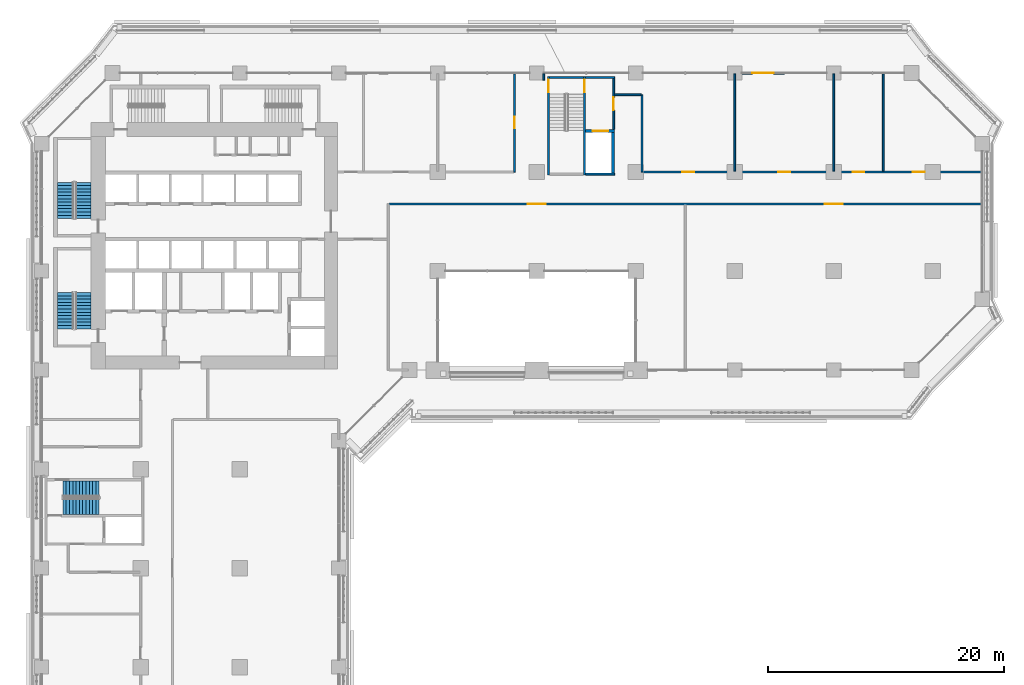
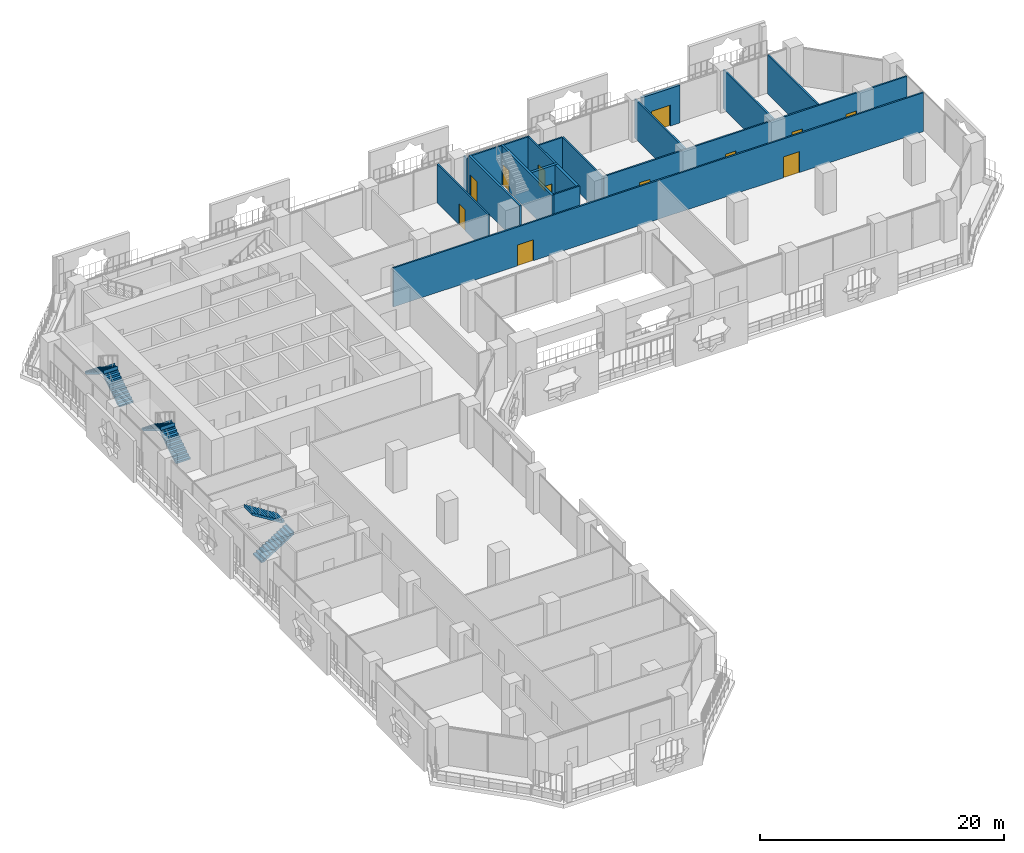
# One storey, part 16 of 27: 18 walls, 12 doors, 6 stair flights, 12 openings, 3 elements without a shape of their own.
"""IFC4 building model written with IfcOpenShell, lengths in metres."""

import ifcopenshell
import ifcopenshell.guid

model = None  # the IFC model being written
_history = None  # IfcOwnerHistory: only IFC2X3 demands one
_inside = {}  # id of a spatial element -> (the spatial element, [elements in it])
_under = {}  # id of a project, library or spatial element -> (it, [spatial elements below it])
_declared = {}  # id of a project -> (the project, [libraries it declares])
_typed = {}  # id of a type object -> (the type object, [elements of that type])
_made_of = {}  # id of a material, layer set ... -> (it, [elements and type objects made of it])


def new_model(schema):
    """Start an empty IFC model of exactly this schema.

    Asked for "IFC4X3", IfcOpenShell would pick the latest addendum, in which some entities
    have other attributes; the version numbers below select the first issue.
    IFC2X3 requires an IfcOwnerHistory on every rooted entity: one is made here for all.
    """
    global model, _history
    if schema == "IFC4X3":
        model = ifcopenshell.file(schema_version=(4, 3, 0, 0))
    else:
        model = ifcopenshell.file(schema=schema)
    _inside.clear()
    _under.clear()
    _declared.clear()
    _typed.clear()
    _made_of.clear()
    _history = None
    if model.schema == "IFC2X3":
        org = make("IfcOrganization", Name="unknown")
        user = make(
            "IfcPersonAndOrganization",
            ThePerson=make("IfcPerson", FamilyName="unknown"),
            TheOrganization=org,
        )
        app = make(
            "IfcApplication",
            ApplicationDeveloper=org,
            Version="unknown",
            ApplicationFullName="unknown",
            ApplicationIdentifier="unknown",
        )
        _history = make(
            "IfcOwnerHistory",
            OwningUser=user,
            OwningApplication=app,
            ChangeAction="ADDED",
            CreationDate=0,
        )
    return model


def make(cls, **values):
    """One entity of the class cls with the attributes given. An attribute that is None is left unset."""
    return model.create_entity(
        cls, **{name: value for name, value in values.items() if value is not None}
    )


def rooted(cls, **values):
    """An entity with a GlobalId (a new one), such as an element, a storey or a relation."""
    return make(cls, GlobalId=ifcopenshell.guid.new(), OwnerHistory=_history, **values)


def si_unit(unit_type, name, prefix=None):
    """IfcSIUnit, for example si_unit("LENGTHUNIT", "METRE", prefix="MILLI")."""
    return make("IfcSIUnit", UnitType=unit_type, Prefix=prefix, Name=name)


def assignment(units):
    """IfcUnitAssignment: the units of a project."""
    return None if units is None else make("IfcUnitAssignment", Units=units)


def point(xyz):
    """IfcCartesianPoint."""
    return None if xyz is None else make("IfcCartesianPoint", Coordinates=xyz)


def direction(xyz):
    """IfcDirection."""
    return None if xyz is None else make("IfcDirection", DirectionRatios=xyz)


def frame(location, z_axis=None, x_axis=None):
    """IfcAxis2Placement3D, a coordinate frame: its origin and axes. An axis left out is left unset."""
    return make(
        "IfcAxis2Placement3D",
        Location=point(location),
        Axis=direction(z_axis),
        RefDirection=direction(x_axis),
    )


def frame_2d(location, x_axis=None):
    """IfcAxis2Placement2D, a coordinate frame in the plane: its origin and x axis."""
    return make(
        "IfcAxis2Placement2D", Location=point(location), RefDirection=direction(x_axis)
    )


def origin():
    """The frame at (0, 0, 0) with its axes left unset."""
    return frame((0.0, 0.0, 0.0))


def place(relative_to, where):
    """IfcLocalPlacement: puts the frame where relative to a parent placement (None: the world)."""
    return make(
        "IfcLocalPlacement", PlacementRelTo=relative_to, RelativePlacement=where
    )


def context(
    kind, dimensions, precision=None, world=None, true_north=None, identifier=None
):
    """IfcGeometricRepresentationContext, for example the 3D "Model" context."""
    return make(
        "IfcGeometricRepresentationContext",
        ContextIdentifier=identifier,
        ContextType=kind,
        CoordinateSpaceDimension=dimensions,
        Precision=precision,
        WorldCoordinateSystem=world,
        TrueNorth=true_north,
    )


def subcontext(parent, identifier, kind, view, scale=None):
    """IfcGeometricRepresentationSubContext, for example "Body" below "Model"."""
    return make(
        "IfcGeometricRepresentationSubContext",
        ContextIdentifier=identifier,
        ContextType=kind,
        ParentContext=parent,
        TargetScale=scale,
        TargetView=view,
    )


def project(units=None, contexts=None):
    """IfcProject with its units and contexts."""
    return rooted(
        "IfcProject",
        Name="project",
        RepresentationContexts=contexts,
        UnitsInContext=assignment(units),
    )


def spatial(cls, under=None, at=None, **own):
    """A site, building, storey or space (cls), placed at a placement, below another one or the project."""
    s = rooted(cls, ObjectPlacement=at, **own)
    if under is not None:
        _under.setdefault(under.id(), (under, []))[1].append(s)
    return s


def polyline(points):
    """IfcPolyline through the points."""
    return make("IfcPolyline", Points=[point(p) for p in points])


def profile(cls, at=None, kind="AREA", **sizes):
    """A parametric profile (cls). Its sizes go by their IFC names, for example OverallWidth=200.0."""
    return make(cls, ProfileType=kind, Position=at, **sizes)


def rectangle(**sizes):
    """IfcRectangleProfileDef."""
    return profile("IfcRectangleProfileDef", **sizes)


def outline(outer, holes=None, kind="AREA"):
    """IfcArbitraryClosedProfileDef: a profile drawn as a closed curve; with holes, ...WithVoids."""
    if holes is None:
        return make("IfcArbitraryClosedProfileDef", ProfileType=kind, OuterCurve=outer)
    return make(
        "IfcArbitraryProfileDefWithVoids",
        ProfileType=kind,
        OuterCurve=outer,
        InnerCurves=holes,
    )


def extrude(swept, where, along, depth):
    """IfcExtrudedAreaSolid: the profile swept, set in the frame where, extruded along a direction by depth."""
    return make(
        "IfcExtrudedAreaSolid",
        SweptArea=swept,
        Position=where,
        ExtrudedDirection=direction(along),
        Depth=depth,
    )


def shape(context_of_items, identifier, shape_type, items):
    """IfcShapeRepresentation: the items that make up one representation, for example the "Body"."""
    return make(
        "IfcShapeRepresentation",
        ContextOfItems=context_of_items,
        RepresentationIdentifier=identifier,
        RepresentationType=shape_type,
        Items=items,
    )


def material(Name=None, Category=None):
    """IfcMaterial."""
    return make("IfcMaterial", Name=Name, Category=Category)


def layer(
    of_material, thickness, ventilated=None, Name=None, Category=None, Priority=None
):
    """IfcMaterialLayer: one layer of a wall or slab, of a material (None: an air gap)."""
    return make(
        "IfcMaterialLayer",
        Material=of_material,
        LayerThickness=thickness,
        IsVentilated=ventilated,
        Name=Name,
        Category=Category,
        Priority=Priority,
    )


def layer_set(layers, Name=None):
    """IfcMaterialLayerSet."""
    return make("IfcMaterialLayerSet", MaterialLayers=layers, LayerSetName=Name)


def made_of(thing, what):
    """Note that an element or type object is made of a material, layer set ...; save() writes the relation."""
    if what is not None:
        _made_of.setdefault(what.id(), (what, []))[1].append(thing)
    return thing


def type_object(cls, material=None, **own):
    """A type object (cls), such as IfcWallType, which elements share."""
    return made_of(rooted(cls, **own), material)


def element(
    cls,
    number,
    at=None,
    inside=None,
    cuts=None,
    type_object=None,
    material=None,
    context=None,
    identifier="Body",
    shape_type=None,
    held_by="IfcProductDefinitionShape",
    body=None,
    shapes=None,
    **own,
):
    """One element of the class cls, such as IfcWall. Its Tag is "e" and its number.

    at: its placement. inside: the storey or other place that contains it. cuts: it is an
    opening in that element (IfcRelVoidsElement). A single representation is given by context,
    identifier, shape_type and body (its items); several are given by shapes. held_by: the class
    of the entity that holds the representations. save() writes the other relations.
    """
    e = rooted(cls, Tag="e%d" % number, ObjectPlacement=at, **own)
    if body is not None:
        shapes = [shape(context, identifier, shape_type, body)]
    if shapes is not None:
        e.Representation = make(held_by, Representations=shapes)
    if inside is not None:
        _inside.setdefault(inside.id(), (inside, []))[1].append(e)
    if cuts is not None:
        rooted(
            "IfcRelVoidsElement", RelatingBuildingElement=cuts, RelatedOpeningElement=e
        )
    if type_object is not None:
        _typed.setdefault(type_object.id(), (type_object, []))[1].append(e)
    return made_of(e, material)


def fill(opening, filler):
    """IfcRelFillsElement: the door or window that sits in an opening."""
    return rooted(
        "IfcRelFillsElement",
        RelatingOpeningElement=opening,
        RelatedBuildingElement=filler,
    )


def aggregate(whole, parts):
    """IfcRelAggregates: a whole, such as a stair, and the parts it consists of."""
    return rooted("IfcRelAggregates", RelatingObject=whole, RelatedObjects=parts)


def save(model, path):
    """Write the relations noted so far, then the file.

    IfcRelAggregates (storeys below a building ...), IfcRelContainedInSpatialStructure (elements
    in a storey), IfcRelDefinesByType, IfcRelAssociatesMaterial and IfcRelDeclares: one each for
    every whole, place, type object, material and project.
    """
    for whole, parts in _under.values():
        aggregate(whole, parts)
    for where, things in _inside.values():
        rooted(
            "IfcRelContainedInSpatialStructure",
            RelatedElements=things,
            RelatingStructure=where,
        )
    for kind, things in _typed.values():
        rooted("IfcRelDefinesByType", RelatedObjects=things, RelatingType=kind)
    for what, things in _made_of.values():
        rooted("IfcRelAssociatesMaterial", RelatedObjects=things, RelatingMaterial=what)
    for by, libraries in _declared.values():
        rooted("IfcRelDeclares", RelatingContext=by, RelatedDefinitions=libraries)
    model.write(path)


model = new_model("IFC4")

# Units and contexts
model_context = context("Model", 3, precision=1e-05, world=origin(), true_north=direction((0.0, 1.0)))
body_context = subcontext(model_context, "Body", "Model", "MODEL_VIEW")
ifc_project = project(units=[si_unit("LENGTHUNIT", "METRE"), si_unit("AREAUNIT", "SQUARE_METRE"), si_unit("VOLUMEUNIT", "CUBIC_METRE"), si_unit("PLANEANGLEUNIT", "RADIAN"), si_unit("MASSUNIT", "GRAM", prefix="KILO")], contexts=[model_context])

# Site, building, storey
site_placement = place(None, origin())
site = spatial("IfcSite", under=ifc_project, at=site_placement, CompositionType="ELEMENT")
building_placement = place(site_placement, origin())
building = spatial("IfcBuilding", under=site, at=building_placement, Name="Kawkab Arch Medical Tower", CompositionType="ELEMENT")
storey_placement = place(building_placement, frame((0.0, 0.0, 43.39990234375)))
storey = spatial("IfcBuildingStorey", under=building, at=storey_placement, Name="L09", CompositionType="ELEMENT", Elevation=43.39990234375)

# Wall, opening, door
ifc_material_1 = material(Name="Gypsum board on steel studs", Category="steel")
ifc_layer_1 = layer(ifc_material_1, 0.14990234375)
ifc_layer_set_1 = layer_set([ifc_layer_1], Name="Gypsum board on steel studs")
wall_type_1 = type_object("IfcWallType", Name="Core room partition 150", PredefinedType="PARTITIONING", material=ifc_layer_set_1)
wall_1_placement = place(storey_placement, frame((48.52490234375, -4.77490234375, 0.0), z_axis=(0.0, 0.0, 1.0), x_axis=(0.0, 1.0, 0.0)))
wall_1 = element("IfcWall", 1, at=wall_1_placement, inside=storey, type_object=wall_type_1, Name="L09 core room partition", PredefinedType="PARTITIONING", context=body_context, shape_type="SweptSolid", body=[
    extrude(rectangle(XDim=4.324951171875, YDim=0.14990234375, at=frame_2d((2.16259765625, 0.0))), origin(), (0.0, 0.0, 1.0), 3.900146484375),
])
opening_1_placement = place(wall_1_placement, frame((1.625, 0.0, 0.0)))
opening_1 = element("IfcOpeningElement", 2, at=opening_1_placement, cuts=wall_1, Name="Opening FD", PredefinedType="OPENING", context=body_context, shape_type="SweptSolid", body=[
    extrude(rectangle(XDim=1.10009765625, YDim=2.10009765625, at=frame_2d((0.550048828125, 1.050048828125))), frame((0.0, 0.0849609375, 0.0), z_axis=(0.0, -1.0, 0.0), x_axis=(1.0, 0.0, 0.0)), (0.0, 0.0, 1.0), 0.169921875),
])
ifc_material_2 = material(Name="Hollow metal fire door leaf")
door_type_1 = type_object("IfcDoorType", Name="Firefighting lobby door 1100", OperationType="SINGLE_SWING_LEFT", PredefinedType="DOOR", material=ifc_material_2)
door_1_placement = place(opening_1_placement, origin())
door_1 = element("IfcDoor", 3, at=door_1_placement, inside=storey, type_object=door_type_1, Name="L09 Service lift lobby door SV1", OperationType="SINGLE_SWING_LEFT", OverallHeight=2.10009765625, OverallWidth=1.10009765625, PredefinedType="DOOR", context=body_context, shape_type="SweptSolid", body=[
    extrude(rectangle(XDim=1.10009765625, YDim=2.10009765625, at=frame_2d((0.550048828125, 1.050048828125))), frame((0.0, 0.02490234375, 0.0), z_axis=(0.0, -1.0, 0.0), x_axis=(1.0, 0.0, 0.0)), (0.0, 0.0, 1.0), 0.050048828125),
])
fill(opening_1, door_1)

ifc_material_3 = material(Name="Concrete C60/75", Category="concrete")
ifc_layer_2 = layer(ifc_material_3, 0.25)
ifc_layer_set_2 = layer_set([ifc_layer_2], Name="Concrete C60/75")
wall_type_2 = type_object("IfcWallType", Name="Core shear wall 250 C60/75", PredefinedType="SHEAR", material=ifc_layer_set_2)
wall_2_placement = place(storey_placement, frame((46.14990234375, -4.89990234375, 0.0), z_axis=(0.0, 0.0, 1.0), x_axis=(1.0, 0.0, 0.0)))
wall_2 = element("IfcWall", 4, at=wall_2_placement, inside=storey, type_object=wall_type_2, Name="L09 core shear wall", PredefinedType="SHEAR", context=body_context, shape_type="SweptSolid", body=[
    extrude(rectangle(XDim=2.4501953125, YDim=0.25, at=frame_2d((1.22509765625, 0.0))), origin(), (0.0, 0.0, 1.0), 3.900146484375),
])
opening_2_placement = place(wall_2_placement, frame((0.60009765625, 0.0, 0.0)))
opening_2 = element("IfcOpeningElement", 5, at=opening_2_placement, cuts=wall_2, Name="Opening LD2", PredefinedType="OPENING", context=body_context, shape_type="SweptSolid", body=[
    extrude(rectangle(XDim=1.300048828125, YDim=2.10009765625, at=frame_2d((0.64990234375, 1.050048828125))), frame((0.0, 0.135009765625, 0.0), z_axis=(0.0, -1.0, 0.0), x_axis=(1.0, 0.0, 0.0)), (0.0, 0.0, 1.0), 0.27001953125),
])
ifc_material_4 = material(Name="Stainless steel lift door leaf", Category="steel")
door_type_2 = type_object("IfcDoorType", Name="Lift landing door 1300", OperationType="DOUBLE_DOOR_SLIDING", PredefinedType="DOOR", material=ifc_material_4)
door_2_placement = place(opening_2_placement, origin())
door_2 = element("IfcDoor", 6, at=door_2_placement, inside=storey, type_object=door_type_2, Name="L09 Lift landing door SV1", OperationType="DOUBLE_DOOR_SLIDING", OverallHeight=2.10009765625, OverallWidth=1.300048828125, PredefinedType="DOOR", context=body_context, shape_type="SweptSolid", body=[
    extrude(rectangle(XDim=1.300048828125, YDim=2.10009765625, at=frame_2d((0.64990234375, 1.050048828125))), frame((0.0, 0.02490234375, 0.0), z_axis=(0.0, -1.0, 0.0), x_axis=(1.0, 0.0, 0.0)), (0.0, 0.0, 1.0), 0.050048828125),
])
fill(opening_2, door_2)

# Wall
wall_3_placement = place(storey_placement, frame((48.47509765625, -8.5, 0.0), z_axis=(0.0, 0.0, 1.0), x_axis=(0.0, 1.0, 0.0)))
element("IfcWall", 7, at=wall_3_placement, inside=storey, type_object=wall_type_2, Name="L09 core shear wall", PredefinedType="SHEAR", context=body_context, shape_type="SweptSolid", body=[
    extrude(rectangle(XDim=3.47509765625, YDim=0.25, at=frame_2d((1.737548828125, 0.0))), origin(), (0.0, 0.0, 1.0), 3.900146484375),
])

# Wall, opening, door
ifc_material_5 = material(Name="Bronze clad insulated wall panel")
ifc_layer_3 = layer(ifc_material_5, 0.25)
ifc_layer_set_3 = layer_set([ifc_layer_3], Name="Bronze clad insulated wall panel")
wall_type_3 = type_object("IfcWallType", Name="External wall bay 250", PredefinedType="SOLIDWALL", material=ifc_layer_set_3)
wall_4_placement = place(storey_placement, frame((63.0, 0.0, 0.0), z_axis=(0.0, 0.0, 1.0), x_axis=(-1.0, 0.0, 0.0)))
wall_4 = element("IfcWall", 8, at=wall_4_placement, inside=storey, type_object=wall_type_3, Name="External wall bay L09.R09.2.2", PredefinedType="SOLIDWALL", context=body_context, shape_type="SweptSolid", body=[
    extrude(rectangle(XDim=3.60009765625, YDim=0.25, at=frame_2d((1.800048828125, 0.0))), origin(), (0.0, 0.0, 1.0), 3.780029296875),
])
opening_3_placement = place(wall_4_placement, frame((0.89990234375, 0.0, 0.0)))
opening_3 = element("IfcOpeningElement", 9, at=opening_3_placement, cuts=wall_4, Name="Opening B09-701", PredefinedType="OPENING", context=body_context, shape_type="SweptSolid", body=[
    extrude(rectangle(XDim=1.800048828125, YDim=2.10009765625, at=frame_2d((0.89990234375, 1.050048828125))), frame((0.0, 0.135009765625, 0.0), z_axis=(0.0, -1.0, 0.0), x_axis=(1.0, 0.0, 0.0)), (0.0, 0.0, 1.0), 0.27001953125),
])
ifc_material_6 = material(Name="Bronze anodised aluminium door with tinted glass", Category="aluminium")
door_type_3 = type_object("IfcDoorType", Name="Double external door 1800 x 2100", OperationType="DOUBLE_DOOR_SINGLE_SWING", PredefinedType="DOOR", material=ifc_material_6)
door_3_placement = place(opening_3_placement, origin())
door_3 = element("IfcDoor", 10, at=door_3_placement, inside=storey, type_object=door_type_3, Name="External door L09.R09.2.2", OperationType="DOUBLE_DOOR_SINGLE_SWING", OverallHeight=2.10009765625, OverallWidth=1.800048828125, PredefinedType="DOOR", context=body_context, shape_type="SweptSolid", body=[
    extrude(rectangle(XDim=1.800048828125, YDim=2.10009765625, at=frame_2d((0.89990234375, 1.050048828125))), frame((0.0, 0.02490234375, 0.0), z_axis=(0.0, -1.0, 0.0), x_axis=(1.0, 0.0, 0.0)), (0.0, 0.0, 1.0), 0.050048828125),
])
fill(opening_3, door_3)

# Wall, openings, doors
ifc_material_7 = material(Name="Gypsum board partition on steel studs, mineral wool", Category="steel")
ifc_layer_4 = layer(ifc_material_7, 0.14990234375)
ifc_layer_set_4 = layer_set([ifc_layer_4], Name="Gypsum board partition on steel studs, mineral wool")
wall_type_4 = type_object("IfcWallType", Name="Partition 150", PredefinedType="PARTITIONING", material=ifc_layer_set_4)
wall_5_placement = place(storey_placement, frame((29.47509765625, -11.10009765625, 0.0), z_axis=(0.0, 0.0, 1.0), x_axis=(1.0, 0.0, 0.0)))
wall_5 = element("IfcWall", 11, at=wall_5_placement, inside=storey, type_object=wall_type_4, Name="Partition 150 w016", PredefinedType="PARTITIONING", context=body_context, shape_type="SweptSolid", body=[
    extrude(rectangle(XDim=50.244873046875, YDim=0.14990234375, at=frame_2d((25.12255859375, 0.0))), origin(), (0.0, 0.0, 1.0), 3.900146484375),
])
opening_4_placement = place(wall_5_placement, frame((11.77490234375, 0.0, 0.0)))
opening_4 = element("IfcOpeningElement", 12, at=opening_4_placement, cuts=wall_5, Name="Opening B09-002", PredefinedType="OPENING", context=body_context, shape_type="SweptSolid", body=[
    extrude(rectangle(XDim=1.5, YDim=2.10009765625, at=frame_2d((0.75, 1.050048828125))), frame((0.0, 0.0849609375, 0.0), z_axis=(0.0, -1.0, 0.0), x_axis=(1.0, 0.0, 0.0)), (0.0, 0.0, 1.0), 0.169921875),
])
opening_5_placement = place(wall_5_placement, frame((36.97509765625, 0.0, 0.0)))
opening_5 = element("IfcOpeningElement", 13, at=opening_5_placement, cuts=wall_5, Name="Opening B09-003", PredefinedType="OPENING", context=body_context, shape_type="SweptSolid", body=[
    extrude(rectangle(XDim=1.5, YDim=2.10009765625, at=frame_2d((0.75, 1.050048828125))), frame((0.0, 0.0849609375, 0.0), z_axis=(0.0, -1.0, 0.0), x_axis=(1.0, 0.0, 0.0)), (0.0, 0.0, 1.0), 0.169921875),
])
ifc_material_8 = material(Name="Hollow metal door leaf")
door_type_4 = type_object("IfcDoorType", Name="Double door 1500x2100 FD30S", OperationType="NOTDEFINED", PredefinedType="DOOR", material=ifc_material_8)
door_4_placement = place(opening_4_placement, origin())
door_4 = element("IfcDoor", 14, at=door_4_placement, inside=storey, type_object=door_type_4, Name="Door B09-002", OperationType="DOUBLE_DOOR_SINGLE_SWING", OverallHeight=2.10009765625, OverallWidth=1.5, PredefinedType="DOOR", context=body_context, shape_type="SweptSolid", body=[
    extrude(rectangle(XDim=1.5, YDim=2.10009765625, at=frame_2d((0.75, 1.050048828125))), frame((0.0, 0.02490234375, 0.0), z_axis=(0.0, -1.0, 0.0), x_axis=(1.0, 0.0, 0.0)), (0.0, 0.0, 1.0), 0.050048828125),
])
fill(opening_4, door_4)
door_5_placement = place(opening_5_placement, origin())
door_5 = element("IfcDoor", 15, at=door_5_placement, inside=storey, type_object=door_type_4, Name="Door B09-003", OperationType="DOUBLE_DOOR_SINGLE_SWING", OverallHeight=2.10009765625, OverallWidth=1.5, PredefinedType="DOOR", context=body_context, shape_type="SweptSolid", body=[
    extrude(rectangle(XDim=1.5, YDim=2.10009765625, at=frame_2d((0.75, 1.050048828125))), frame((0.0, 0.02490234375, 0.0), z_axis=(0.0, -1.0, 0.0), x_axis=(1.0, 0.0, 0.0)), (0.0, 0.0, 1.0), 0.050048828125),
])
fill(opening_5, door_5)

wall_6_placement = place(storey_placement, frame((51.0, -8.39990234375, 0.0), z_axis=(0.0, 0.0, 1.0), x_axis=(1.0, 0.0, 0.0)))
wall_6 = element("IfcWall", 16, at=wall_6_placement, inside=storey, type_object=wall_type_4, Name="Partition 150 w018", PredefinedType="PARTITIONING", context=body_context, shape_type="SweptSolid", body=[
    extrude(rectangle(XDim=28.719970703125, YDim=0.14990234375, at=frame_2d((14.35986328125, 0.0))), origin(), (0.0, 0.0, 1.0), 3.900146484375),
])
opening_6_placement = place(wall_6_placement, frame((3.362060546875, 0.0, 0.0)))
opening_6 = element("IfcOpeningElement", 17, at=opening_6_placement, cuts=wall_6, Name="Opening B09-008", PredefinedType="OPENING", context=body_context, shape_type="SweptSolid", body=[
    extrude(rectangle(XDim=1.0, YDim=2.10009765625, at=frame_2d((0.5, 1.050048828125))), frame((0.0, 0.0849609375, 0.0), z_axis=(0.0, -1.0, 0.0), x_axis=(1.0, 0.0, 0.0)), (0.0, 0.0, 1.0), 0.169921875),
])
opening_7_placement = place(wall_6_placement, frame((11.5, 0.0, 0.0)))
opening_7 = element("IfcOpeningElement", 18, at=opening_7_placement, cuts=wall_6, Name="Opening B09-009", PredefinedType="OPENING", context=body_context, shape_type="SweptSolid", body=[
    extrude(rectangle(XDim=1.0, YDim=2.10009765625, at=frame_2d((0.5, 1.050048828125))), frame((0.0, 0.0849609375, 0.0), z_axis=(0.0, -1.0, 0.0), x_axis=(1.0, 0.0, 0.0)), (0.0, 0.0, 1.0), 0.169921875),
])
opening_8_placement = place(wall_6_placement, frame((17.800048828125, 0.0, 0.0)))
opening_8 = element("IfcOpeningElement", 19, at=opening_8_placement, cuts=wall_6, Name="Opening B09-010", PredefinedType="OPENING", context=body_context, shape_type="SweptSolid", body=[
    extrude(rectangle(XDim=1.0, YDim=2.10009765625, at=frame_2d((0.5, 1.050048828125))), frame((0.0, 0.0849609375, 0.0), z_axis=(0.0, -1.0, 0.0), x_axis=(1.0, 0.0, 0.0)), (0.0, 0.0, 1.0), 0.169921875),
])
opening_9_placement = place(wall_6_placement, frame((22.89990234375, 0.0, 0.0)))
opening_9 = element("IfcOpeningElement", 20, at=opening_9_placement, cuts=wall_6, Name="Opening B09-011", PredefinedType="OPENING", context=body_context, shape_type="SweptSolid", body=[
    extrude(rectangle(XDim=1.0, YDim=2.10009765625, at=frame_2d((0.5, 1.050048828125))), frame((0.0, 0.0849609375, 0.0), z_axis=(0.0, -1.0, 0.0), x_axis=(1.0, 0.0, 0.0)), (0.0, 0.0, 1.0), 0.169921875),
])
ifc_material_9 = material(Name="Hollow metal door leaf")
door_type_5 = type_object("IfcDoorType", Name="Single door 1000x2100 FD30S", OperationType="NOTDEFINED", PredefinedType="DOOR", material=ifc_material_9)
door_6_placement = place(opening_6_placement, origin())
door_6 = element("IfcDoor", 21, at=door_6_placement, inside=storey, type_object=door_type_5, Name="Door B09-008", OperationType="SINGLE_SWING_LEFT", OverallHeight=2.10009765625, OverallWidth=1.0, PredefinedType="DOOR", context=body_context, shape_type="SweptSolid", body=[
    extrude(rectangle(XDim=1.0, YDim=2.10009765625, at=frame_2d((0.5, 1.050048828125))), frame((0.0, 0.02490234375, 0.0), z_axis=(0.0, -1.0, 0.0), x_axis=(1.0, 0.0, 0.0)), (0.0, 0.0, 1.0), 0.050048828125),
])
fill(opening_6, door_6)
door_7_placement = place(opening_7_placement, origin())
door_7 = element("IfcDoor", 22, at=door_7_placement, inside=storey, type_object=door_type_5, Name="Door B09-009", OperationType="SINGLE_SWING_LEFT", OverallHeight=2.10009765625, OverallWidth=1.0, PredefinedType="DOOR", context=body_context, shape_type="SweptSolid", body=[
    extrude(rectangle(XDim=1.0, YDim=2.10009765625, at=frame_2d((0.5, 1.050048828125))), frame((0.0, 0.02490234375, 0.0), z_axis=(0.0, -1.0, 0.0), x_axis=(1.0, 0.0, 0.0)), (0.0, 0.0, 1.0), 0.050048828125),
])
fill(opening_7, door_7)
door_8_placement = place(opening_8_placement, origin())
door_8 = element("IfcDoor", 23, at=door_8_placement, inside=storey, type_object=door_type_5, Name="Door B09-010", OperationType="SINGLE_SWING_RIGHT", OverallHeight=2.10009765625, OverallWidth=1.0, PredefinedType="DOOR", context=body_context, shape_type="SweptSolid", body=[
    extrude(rectangle(XDim=1.0, YDim=2.10009765625, at=frame_2d((0.5, 1.050048828125))), frame((0.0, 0.02490234375, 0.0), z_axis=(0.0, -1.0, 0.0), x_axis=(1.0, 0.0, 0.0)), (0.0, 0.0, 1.0), 0.050048828125),
])
fill(opening_8, door_8)
door_9_placement = place(opening_9_placement, origin())
door_9 = element("IfcDoor", 24, at=door_9_placement, inside=storey, type_object=door_type_5, Name="Door B09-011", OperationType="SINGLE_SWING_RIGHT", OverallHeight=2.10009765625, OverallWidth=1.0, PredefinedType="DOOR", context=body_context, shape_type="SweptSolid", body=[
    extrude(rectangle(XDim=1.0, YDim=2.10009765625, at=frame_2d((0.5, 1.050048828125))), frame((0.0, 0.02490234375, 0.0), z_axis=(0.0, -1.0, 0.0), x_axis=(1.0, 0.0, 0.0)), (0.0, 0.0, 1.0), 0.050048828125),
])
fill(opening_9, door_9)

# Wall
wall_7_placement = place(storey_placement, frame((48.60009765625, -1.85009765625, 0.0), z_axis=(0.0, 0.0, 1.0), x_axis=(1.0, 0.0, 0.0)))
element("IfcWall", 25, at=wall_7_placement, inside=storey, type_object=wall_type_4, Name="Partition 150 w019", PredefinedType="PARTITIONING", context=body_context, shape_type="SweptSolid", body=[
    extrude(rectangle(XDim=2.247802734375, YDim=0.14990234375, at=frame_2d((1.1240234375, 0.0))), origin(), (0.0, 0.0, 1.0), 3.900146484375),
])

# Wall, opening, door
wall_8_placement = place(storey_placement, frame((40.10693359375, -8.39990234375, 0.0), z_axis=(0.0, 0.0, 1.0), x_axis=(0.0, 1.0, 0.0)))
wall_8 = element("IfcWall", 26, at=wall_8_placement, inside=storey, type_object=wall_type_4, Name="Partition 150 w030", PredefinedType="PARTITIONING", context=body_context, shape_type="SweptSolid", body=[
    extrude(rectangle(XDim=8.31982421875, YDim=0.14990234375, at=frame_2d((4.159912109375, 0.0))), origin(), (0.0, 0.0, 1.0), 3.900146484375),
])
opening_10_placement = place(wall_8_placement, frame((3.699951171875, 0.0, 0.0)))
opening_10 = element("IfcOpeningElement", 27, at=opening_10_placement, cuts=wall_8, Name="Opening B09-007", PredefinedType="OPENING", context=body_context, shape_type="SweptSolid", body=[
    extrude(rectangle(XDim=1.0, YDim=2.10009765625, at=frame_2d((0.5, 1.050048828125))), frame((0.0, 0.0849609375, 0.0), z_axis=(0.0, -1.0, 0.0), x_axis=(1.0, 0.0, 0.0)), (0.0, 0.0, 1.0), 0.169921875),
])
door_10_placement = place(opening_10_placement, origin())
door_10 = element("IfcDoor", 28, at=door_10_placement, inside=storey, type_object=door_type_5, Name="Door B09-007", OperationType="SINGLE_SWING_RIGHT", OverallHeight=2.10009765625, OverallWidth=1.0, PredefinedType="DOOR", context=body_context, shape_type="SweptSolid", body=[
    extrude(rectangle(XDim=1.0, YDim=2.10009765625, at=frame_2d((0.5, 1.050048828125))), frame((0.0, 0.02490234375, 0.0), z_axis=(0.0, -1.0, 0.0), x_axis=(1.0, 0.0, 0.0)), (0.0, 0.0, 1.0), 0.050048828125),
])
fill(opening_10, door_10)

# Walls
wall_9_placement = place(storey_placement, frame((42.60009765625, -0.59912109375, 0.0), z_axis=(0.0, 0.0, 1.0), x_axis=(0.0, 1.0, 0.0)))
element("IfcWall", 29, at=wall_9_placement, inside=storey, type_object=wall_type_4, Name="Partition 150 w031", PredefinedType="PARTITIONING", context=body_context, shape_type="SweptSolid", body=[
    extrude(rectangle(XDim=0.51904296875, YDim=0.14990234375, at=frame_2d((0.259521484375, 0.0))), origin(), (0.0, 0.0, 1.0), 3.900146484375),
])
wall_10_placement = place(storey_placement, frame((50.925048828125, -8.39990234375, 0.0), z_axis=(0.0, 0.0, 1.0), x_axis=(0.0, 1.0, 0.0)))
element("IfcWall", 30, at=wall_10_placement, inside=storey, type_object=wall_type_4, Name="Partition 150 w032", PredefinedType="PARTITIONING", context=body_context, shape_type="SweptSolid", body=[
    extrude(rectangle(XDim=6.5478515625, YDim=0.14990234375, at=frame_2d((3.27392578125, 0.0))), origin(), (0.0, 0.0, 1.0), 3.900146484375),
])
for number, where, z_axis, x_axis, name in (
    (31, (58.800048828125, -8.324951171875, 0.0), (0.0, 0.0, 1.0), (0.0, 1.0, 0.0), "Partition 150 w034"),
    (32, (67.199951171875, -8.324951171875, 0.0), (0.0, 0.0, 1.0), (0.0, 1.0, 0.0), "Partition 150 w035"),
    (33, (71.39990234375, -8.324951171875, 0.0), (0.0, 0.0, 1.0), (0.0, 1.0, 0.0), "Partition 150 w036"),
):
    element("IfcWall", number, at=place(storey_placement, frame(where, z_axis=z_axis, x_axis=x_axis)), inside=storey, type_object=wall_type_4, Name=name, PredefinedType="PARTITIONING", context=body_context, shape_type="SweptSolid", body=[
        extrude(rectangle(XDim=8.244873046875, YDim=0.14990234375, at=frame_2d((4.12255859375, 0.0))), origin(), (0.0, 0.0, 1.0), 3.900146484375),
    ])
ifc_material_10 = material(Name="Concrete C50/60", Category="concrete")
ifc_layer_5 = layer(ifc_material_10, 0.14990234375)
ifc_layer_set_5 = layer_set([ifc_layer_5], Name="Concrete C50/60")
wall_type_5 = type_object("IfcWallType", Name="Stair enclosure wall 150 C50/60", PredefinedType="SHEAR", material=ifc_layer_set_5)
wall_11_placement = place(storey_placement, frame((43.10009765625, -0.375, 0.0), z_axis=(0.0, 0.0, 1.0), x_axis=(1.0, 0.0, 0.0)))
element("IfcWall", 34, at=wall_11_placement, inside=storey, type_object=wall_type_5, Name="L09 stair enclosure wall", PredefinedType="SHEAR", context=body_context, shape_type="SweptSolid", body=[
    extrude(rectangle(XDim=2.849853515625, YDim=0.14990234375, at=frame_2d((1.4248046875, 0.0))), origin(), (0.0, 0.0, 1.0), 3.900146484375),
])
for number, where, z_axis, x_axis, name in (
    (35, (46.14990234375, -0.375, 0.0), (0.0, 0.0, 1.0), (1.0, 0.0, 0.0), "L09 stair enclosure wall"),
    (36, (46.14990234375, -8.574951171875, 0.0), (0.0, 0.0, 1.0), (1.0, 0.0, 0.0), "L09 stair enclosure wall"),
):
    element("IfcWall", number, at=place(storey_placement, frame(where, z_axis=z_axis, x_axis=x_axis)), inside=storey, type_object=wall_type_5, Name=name, PredefinedType="SHEAR", context=body_context, shape_type="SweptSolid", body=[
        extrude(rectangle(XDim=2.4501953125, YDim=0.14990234375, at=frame_2d((1.22509765625, 0.0))), origin(), (0.0, 0.0, 1.0), 3.900146484375),
    ])

# Wall, opening, door
ifc_material_11 = material(Name="Concrete C50/60", Category="concrete")
ifc_layer_6 = layer(ifc_material_11, 0.199951171875)
ifc_layer_set_6 = layer_set([ifc_layer_6], Name="Concrete C50/60")
wall_type_6 = type_object("IfcWallType", Name="Stair enclosure wall 200 C50/60", PredefinedType="SHEAR", material=ifc_layer_set_6)
wall_12_placement = place(storey_placement, frame((43.0, -8.64990234375, 0.0), z_axis=(0.0, 0.0, 1.0), x_axis=(0.0, 1.0, 0.0)))
wall_12 = element("IfcWall", 37, at=wall_12_placement, inside=storey, type_object=wall_type_6, Name="L09 stair enclosure wall", PredefinedType="SHEAR", context=body_context, shape_type="SweptSolid", body=[
    extrude(rectangle(XDim=8.349853515625, YDim=0.199951171875, at=frame_2d((4.1748046875, 0.0))), origin(), (0.0, 0.0, 1.0), 3.900146484375),
])
opening_11_placement = place(wall_12_placement, frame((7.0, 0.0, 0.0)))
opening_11 = element("IfcOpeningElement", 38, at=opening_11_placement, cuts=wall_12, Name="Opening SD", PredefinedType="OPENING", context=body_context, shape_type="SweptSolid", body=[
    extrude(rectangle(XDim=1.10009765625, YDim=2.10009765625, at=frame_2d((0.550048828125, 1.050048828125))), frame((0.0, 0.10986328125, 0.0), z_axis=(0.0, -1.0, 0.0), x_axis=(1.0, 0.0, 0.0)), (0.0, 0.0, 1.0), 0.219970703125),
])
ifc_material_12 = material(Name="Hollow metal fire door leaf")
door_type_6 = type_object("IfcDoorType", Name="Exit stair door 1100", OperationType="SINGLE_SWING_LEFT", PredefinedType="DOOR", material=ifc_material_12)
door_11_placement = place(opening_11_placement, frame((1.10009765625, 0.0, 0.0), z_axis=(0.0, 0.0, 1.0), x_axis=(-1.0, 0.0, 0.0)))
door_11 = element("IfcDoor", 39, at=door_11_placement, inside=storey, type_object=door_type_6, Name="L09 Exit stair ST5 door", OperationType="SINGLE_SWING_LEFT", OverallHeight=2.10009765625, OverallWidth=1.10009765625, PredefinedType="DOOR", context=body_context, shape_type="SweptSolid", body=[
    extrude(rectangle(XDim=1.10009765625, YDim=2.10009765625, at=frame_2d((0.550048828125, 1.050048828125))), frame((0.0, 0.02490234375, 0.0), z_axis=(0.0, -1.0, 0.0), x_axis=(1.0, 0.0, 0.0)), (0.0, 0.0, 1.0), 0.050048828125),
])
fill(opening_11, door_11)

wall_13_placement = place(storey_placement, frame((46.050048828125, -8.64990234375, 0.0), z_axis=(0.0, 0.0, 1.0), x_axis=(0.0, 1.0, 0.0)))
wall_13 = element("IfcWall", 40, at=wall_13_placement, inside=storey, type_object=wall_type_6, Name="L09 stair enclosure wall", PredefinedType="SHEAR", context=body_context, shape_type="SweptSolid", body=[
    extrude(rectangle(XDim=8.349853515625, YDim=0.199951171875, at=frame_2d((4.1748046875, 0.0))), origin(), (0.0, 0.0, 1.0), 3.900146484375),
])
opening_12_placement = place(wall_13_placement, frame((7.0, 0.0, 0.0)))
opening_12 = element("IfcOpeningElement", 41, at=opening_12_placement, cuts=wall_13, Name="Opening SD", PredefinedType="OPENING", context=body_context, shape_type="SweptSolid", body=[
    extrude(rectangle(XDim=1.10009765625, YDim=2.10009765625, at=frame_2d((0.550048828125, 1.050048828125))), frame((0.0, 0.10986328125, 0.0), z_axis=(0.0, -1.0, 0.0), x_axis=(1.0, 0.0, 0.0)), (0.0, 0.0, 1.0), 0.219970703125),
])
door_12_placement = place(opening_12_placement, origin())
door_12 = element("IfcDoor", 42, at=door_12_placement, inside=storey, type_object=door_type_6, Name="L09 Exit stair ST5 lobby door", OperationType="SINGLE_SWING_LEFT", OverallHeight=2.10009765625, OverallWidth=1.10009765625, PredefinedType="DOOR", context=body_context, shape_type="SweptSolid", body=[
    extrude(rectangle(XDim=1.10009765625, YDim=2.10009765625, at=frame_2d((0.550048828125, 1.050048828125))), frame((0.0, 0.02490234375, 0.0), z_axis=(0.0, -1.0, 0.0), x_axis=(1.0, 0.0, 0.0)), (0.0, 0.0, 1.0), 0.050048828125),
])
fill(opening_12, door_12)

# Stair, stair flights
ifc_material_13 = material(Name="Concrete C40/50", Category="concrete")
stair_type = type_object("IfcStairType", Name="Exit stair 1350", PredefinedType="HALF_TURN_STAIR", material=ifc_material_13)
placement = place(storey_placement, origin())
stair_1 = element("IfcStair", 43, at=placement, inside=storey, type_object=stair_type, Name="L09 Exit stair ST1", PredefinedType="HALF_TURN_STAIR")
ifc_material_14 = material(Name="Concrete C40/50", Category="concrete")
stair_flight_type = type_object("IfcStairFlightType", Name="Exit stair flight 1350", PredefinedType="STRAIGHT", material=ifc_material_14)
stair_flight_1_placement = place(storey_placement, frame((3.52490234375, -12.35009765625, 0.0), z_axis=(0.0, 0.0, 1.0), x_axis=(0.0, 1.0, 0.0)))
stair_flight_1 = element("IfcStairFlight", 44, at=stair_flight_1_placement, type_object=stair_flight_type, Name="ST1 flight 1", NumberOfRisers=12, NumberOfTreads=11, PredefinedType="STRAIGHT", RiserHeight=0.175, TreadLength=0.28, context=body_context, shape_type="SweptSolid", body=[
    extrude(outline(polyline([(-0.0029296875, 0.0), (-0.0029296875, 0.175048828125), (0.0, 0.175048828125), (0.280029296875, 0.175048828125), (0.280029296875, 0.35009765625), (0.56005859375, 0.35009765625), (0.56005859375, 0.52490234375), (0.840087890625, 0.52490234375), (0.840087890625, 0.699951171875), (1.1201171875, 0.699951171875), (1.1201171875, 0.875), (1.39990234375, 0.875), (1.39990234375, 1.050048828125), (1.679931640625, 1.050048828125), (1.679931640625, 1.22509765625), (1.9599609375, 1.22509765625), (1.9599609375, 1.39990234375), (2.239990234375, 1.39990234375), (2.239990234375, 1.574951171875), (2.52001953125, 1.574951171875), (2.52001953125, 1.75), (2.800048828125, 1.75), (2.800048828125, 1.925048828125), (3.080078125, 1.925048828125), (3.080078125, 2.10009765625), (3.0830078125, 2.10009765625), (3.0830078125, 1.748291015625), (3.080078125, 1.748291015625), (0.28271484375, 0.0), (-0.0029296875, 0.0)])), frame((0.0, 0.675048828125, 0.0), z_axis=(0.0, -1.0, 0.0), x_axis=(1.0, 0.0, 0.0)), (0.0, 0.0, 1.0), 1.35009765625),
])
stair_flight_2_placement = place(storey_placement, frame((2.02490234375, -9.27001953125, 2.10009765625), z_axis=(0.0, 0.0, 1.0), x_axis=(0.0, -1.0, 0.0)))
stair_flight_2 = element("IfcStairFlight", 45, at=stair_flight_2_placement, type_object=stair_flight_type, Name="ST1 flight 2", NumberOfRisers=12, NumberOfTreads=11, PredefinedType="STRAIGHT", RiserHeight=0.175, TreadLength=0.28, context=body_context, shape_type="SweptSolid", body=[
    extrude(outline(polyline([(-0.0029296875, 0.0), (-0.0029296875, 0.175048828125), (0.0, 0.175048828125), (0.280029296875, 0.175048828125), (0.280029296875, 0.35009765625), (0.56005859375, 0.35009765625), (0.56005859375, 0.52490234375), (0.840087890625, 0.52490234375), (0.840087890625, 0.699951171875), (1.1201171875, 0.699951171875), (1.1201171875, 0.875), (1.39990234375, 0.875), (1.39990234375, 1.050048828125), (1.679931640625, 1.050048828125), (1.679931640625, 1.22509765625), (1.9599609375, 1.22509765625), (1.9599609375, 1.39990234375), (2.239990234375, 1.39990234375), (2.239990234375, 1.574951171875), (2.52001953125, 1.574951171875), (2.52001953125, 1.75), (2.800048828125, 1.75), (2.800048828125, 1.925048828125), (3.080078125, 1.925048828125), (3.080078125, 2.10009765625), (3.0830078125, 2.10009765625), (3.0830078125, 1.748291015625), (3.080078125, 1.748291015625), (0.28271484375, 0.0), (-0.0029296875, 0.0)])), frame((0.0, 0.675048828125, 0.0), z_axis=(0.0, -1.0, 0.0), x_axis=(1.0, 0.0, 0.0)), (0.0, 0.0, 1.0), 1.35009765625),
])
aggregate(stair_1, [stair_flight_1, stair_flight_2])

stair_2 = element("IfcStair", 46, at=placement, inside=storey, type_object=stair_type, Name="L09 Exit stair ST2", PredefinedType="HALF_TURN_STAIR")
stair_flight_3_placement = place(storey_placement, frame((3.52490234375, -21.699951171875, 0.0), z_axis=(0.0, 0.0, 1.0), x_axis=(0.0, 1.0, 0.0)))
stair_flight_3 = element("IfcStairFlight", 47, at=stair_flight_3_placement, type_object=stair_flight_type, Name="ST2 flight 1", NumberOfRisers=12, NumberOfTreads=11, PredefinedType="STRAIGHT", RiserHeight=0.175, TreadLength=0.28, context=body_context, shape_type="SweptSolid", body=[
    extrude(outline(polyline([(-0.0029296875, 0.0), (-0.0029296875, 0.175048828125), (0.0, 0.175048828125), (0.280029296875, 0.175048828125), (0.280029296875, 0.35009765625), (0.56005859375, 0.35009765625), (0.56005859375, 0.52490234375), (0.840087890625, 0.52490234375), (0.840087890625, 0.699951171875), (1.1201171875, 0.699951171875), (1.1201171875, 0.875), (1.39990234375, 0.875), (1.39990234375, 1.050048828125), (1.679931640625, 1.050048828125), (1.679931640625, 1.22509765625), (1.9599609375, 1.22509765625), (1.9599609375, 1.39990234375), (2.239990234375, 1.39990234375), (2.239990234375, 1.574951171875), (2.52001953125, 1.574951171875), (2.52001953125, 1.75), (2.800048828125, 1.75), (2.800048828125, 1.925048828125), (3.080078125, 1.925048828125), (3.080078125, 2.10009765625), (3.0830078125, 2.10009765625), (3.0830078125, 1.748291015625), (3.080078125, 1.748291015625), (0.28271484375, 0.0), (-0.0029296875, 0.0)])), frame((0.0, 0.675048828125, 0.0), z_axis=(0.0, -1.0, 0.0), x_axis=(1.0, 0.0, 0.0)), (0.0, 0.0, 1.0), 1.35009765625),
])
stair_flight_4_placement = place(storey_placement, frame((2.02490234375, -18.6201171875, 2.10009765625), z_axis=(0.0, 0.0, 1.0), x_axis=(0.0, -1.0, 0.0)))
stair_flight_4 = element("IfcStairFlight", 48, at=stair_flight_4_placement, type_object=stair_flight_type, Name="ST2 flight 2", NumberOfRisers=12, NumberOfTreads=11, PredefinedType="STRAIGHT", RiserHeight=0.175, TreadLength=0.28, context=body_context, shape_type="SweptSolid", body=[
    extrude(outline(polyline([(-0.0029296875, 0.0), (-0.0029296875, 0.175048828125), (0.0, 0.175048828125), (0.280029296875, 0.175048828125), (0.280029296875, 0.35009765625), (0.56005859375, 0.35009765625), (0.56005859375, 0.52490234375), (0.840087890625, 0.52490234375), (0.840087890625, 0.699951171875), (1.1201171875, 0.699951171875), (1.1201171875, 0.875), (1.39990234375, 0.875), (1.39990234375, 1.050048828125), (1.679931640625, 1.050048828125), (1.679931640625, 1.22509765625), (1.9599609375, 1.22509765625), (1.9599609375, 1.39990234375), (2.239990234375, 1.39990234375), (2.239990234375, 1.574951171875), (2.52001953125, 1.574951171875), (2.52001953125, 1.75), (2.800048828125, 1.75), (2.800048828125, 1.925048828125), (3.080078125, 1.925048828125), (3.080078125, 2.10009765625), (3.0830078125, 2.10009765625), (3.0830078125, 1.748291015625), (3.080078125, 1.748291015625), (0.28271484375, 0.0), (-0.0029296875, 0.0)])), frame((0.0, 0.675048828125, 0.0), z_axis=(0.0, -1.0, 0.0), x_axis=(1.0, 0.0, 0.0)), (0.0, 0.0, 1.0), 1.35009765625),
])
aggregate(stair_2, [stair_flight_3, stair_flight_4])

stair_3 = element("IfcStair", 49, at=placement, inside=storey, type_object=stair_type, Name="L09 Exit stair ST6", PredefinedType="HALF_TURN_STAIR")
stair_flight_5_placement = place(storey_placement, frame((1.800048828125, -36.77490234375, 0.0), z_axis=(0.0, 0.0, 1.0), x_axis=(1.0, 0.0, 0.0)))
stair_flight_5 = element("IfcStairFlight", 50, at=stair_flight_5_placement, type_object=stair_flight_type, Name="ST6 flight 1", NumberOfRisers=12, NumberOfTreads=11, PredefinedType="STRAIGHT", RiserHeight=0.175, TreadLength=0.28, context=body_context, shape_type="SweptSolid", body=[
    extrude(outline(polyline([(-0.0029296875, 0.0), (-0.0029296875, 0.175048828125), (0.0, 0.175048828125), (0.280029296875, 0.175048828125), (0.280029296875, 0.35009765625), (0.56005859375, 0.35009765625), (0.56005859375, 0.52490234375), (0.840087890625, 0.52490234375), (0.840087890625, 0.699951171875), (1.1201171875, 0.699951171875), (1.1201171875, 0.875), (1.39990234375, 0.875), (1.39990234375, 1.050048828125), (1.679931640625, 1.050048828125), (1.679931640625, 1.22509765625), (1.9599609375, 1.22509765625), (1.9599609375, 1.39990234375), (2.239990234375, 1.39990234375), (2.239990234375, 1.574951171875), (2.52001953125, 1.574951171875), (2.52001953125, 1.75), (2.800048828125, 1.75), (2.800048828125, 1.925048828125), (3.080078125, 1.925048828125), (3.080078125, 2.10009765625), (3.0830078125, 2.10009765625), (3.0830078125, 1.748291015625), (3.080078125, 1.748291015625), (0.28271484375, 0.0), (-0.0029296875, 0.0)])), frame((0.0, 0.675048828125, 0.0), z_axis=(0.0, -1.0, 0.0), x_axis=(1.0, 0.0, 0.0)), (0.0, 0.0, 1.0), 1.35009765625),
])
stair_flight_6_placement = place(storey_placement, frame((4.8798828125, -35.27490234375, 2.10009765625), z_axis=(0.0, 0.0, 1.0), x_axis=(-1.0, 0.0, 0.0)))
stair_flight_6 = element("IfcStairFlight", 51, at=stair_flight_6_placement, type_object=stair_flight_type, Name="ST6 flight 2", NumberOfRisers=12, NumberOfTreads=11, PredefinedType="STRAIGHT", RiserHeight=0.175, TreadLength=0.28, context=body_context, shape_type="SweptSolid", body=[
    extrude(outline(polyline([(-0.0029296875, 0.0), (-0.0029296875, 0.175048828125), (0.0, 0.175048828125), (0.280029296875, 0.175048828125), (0.280029296875, 0.35009765625), (0.56005859375, 0.35009765625), (0.56005859375, 0.52490234375), (0.840087890625, 0.52490234375), (0.840087890625, 0.699951171875), (1.1201171875, 0.699951171875), (1.1201171875, 0.875), (1.39990234375, 0.875), (1.39990234375, 1.050048828125), (1.679931640625, 1.050048828125), (1.679931640625, 1.22509765625), (1.9599609375, 1.22509765625), (1.9599609375, 1.39990234375), (2.239990234375, 1.39990234375), (2.239990234375, 1.574951171875), (2.52001953125, 1.574951171875), (2.52001953125, 1.75), (2.800048828125, 1.75), (2.800048828125, 1.925048828125), (3.080078125, 1.925048828125), (3.080078125, 2.10009765625), (3.0830078125, 2.10009765625), (3.0830078125, 1.748291015625), (3.080078125, 1.748291015625), (0.28271484375, 0.0), (-0.0029296875, 0.0)])), frame((0.0, 0.675048828125, 0.0), z_axis=(0.0, -1.0, 0.0), x_axis=(1.0, 0.0, 0.0)), (0.0, 0.0, 1.0), 1.35009765625),
])
aggregate(stair_3, [stair_flight_5, stair_flight_6])

save(model, "model.ifc")
